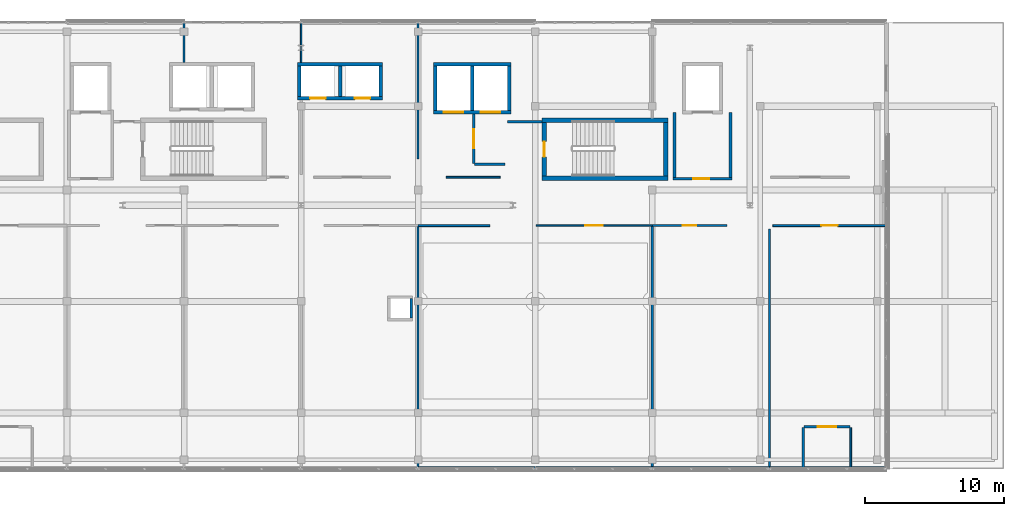
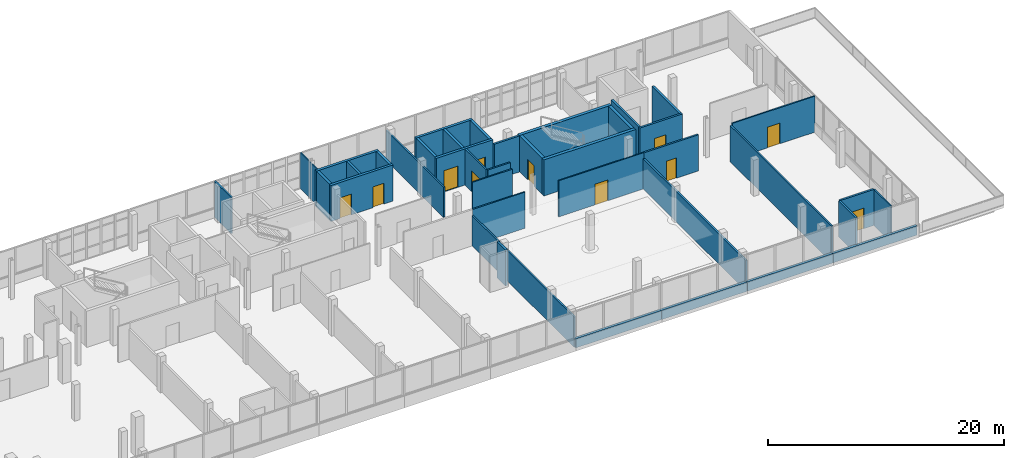
# One storey, part 59 of 67: 39 walls, 11 doors, 11 openings.
"""IFC4 building model written with IfcOpenShell, lengths in metres."""

from ifc_helpers import new_model, si_unit, direction, frame, frame_2d, origin, place, context, subcontext, project, spatial, rectangle, extrude, material, layer, layer_set, type_object, element, fill, save


model = new_model("IFC4")

# Units and contexts
model_context = context("Model", 3, precision=1e-05, world=origin(), true_north=direction((0.0, 1.0)))
body_context = subcontext(model_context, "Body", "Model", "MODEL_VIEW")
ifc_project = project(units=[si_unit("LENGTHUNIT", "METRE"), si_unit("AREAUNIT", "SQUARE_METRE"), si_unit("VOLUMEUNIT", "CUBIC_METRE"), si_unit("PLANEANGLEUNIT", "RADIAN"), si_unit("MASSUNIT", "GRAM", prefix="KILO")], contexts=[model_context])

# Site, building, storey
site_placement = place(None, origin())
site = spatial("IfcSite", under=ifc_project, at=site_placement, CompositionType="ELEMENT")
building_placement = place(site_placement, origin())
building = spatial("IfcBuilding", under=site, at=building_placement, Name="Selatvlak General Hospital", CompositionType="ELEMENT")
storey_placement = place(building_placement, frame((0.0, 0.0, 35.39990234375)))
storey = spatial("IfcBuildingStorey", under=building, at=storey_placement, Name="L08", CompositionType="ELEMENT", Elevation=35.39990234375)

# Walls
ifc_material_1 = material(Name="Precast concrete C40/50 - white Bauhaus spandrel", Category="concrete")
ifc_layer_1 = layer(ifc_material_1, 0.280029296875, Name="Precast concrete C40/50 - white Bauhaus spandrel", Category="concrete")
ifc_layer_set_1 = layer_set([ifc_layer_1], Name="Precast concrete C40/50 - white Bauhaus spandrel")
wall_type_1 = type_object("IfcWallType", Name="WALL-EW-02", PredefinedType="SOLIDWALL", material=ifc_layer_set_1)
wall_1_placement = place(storey_placement, frame((157.06005859375, 88.0009765625, 0.0), z_axis=(0.0, 0.0, 1.0), x_axis=(-1.0, 0.0, 0.0)))
element("IfcWall", 1, at=wall_1_placement, inside=storey, type_object=wall_type_1, Name="L08 Bauhaus spandrel sill wall 0622", PredefinedType="SOLIDWALL", context=body_context, shape_type="SweptSolid", body=[
    extrude(rectangle(XDim=8.258056640625, YDim=0.280029296875, at=frame_2d((4.12890625, 0.0))), origin(), (0.0, 0.0, 1.0), 0.940185546875),
])
for number, where, z_axis, x_axis, name in (
    (2, (148.798095703125, 88.0009765625, 0.0), (0.0, 0.0, 1.0), (-1.0, 0.0, 0.0), "L08 Bauhaus spandrel sill wall 0623"),
    (3, (140.39794921875, 88.0009765625, 0.0), (0.0, 0.0, 1.0), (-1.0, 0.0, 0.0), "L08 Bauhaus spandrel sill wall 0624"),
    (4, (131.998046875, 88.0009765625, 0.0), (0.0, 0.0, 1.0), (-1.0, 0.0, 0.0), "L08 Bauhaus spandrel sill wall 0625"),
):
    element("IfcWall", number, at=place(storey_placement, frame(where, z_axis=z_axis, x_axis=x_axis)), inside=storey, type_object=wall_type_1, Name=name, PredefinedType="SOLIDWALL", context=body_context, shape_type="SweptSolid", body=[
        extrude(rectangle(XDim=8.39599609375, YDim=0.280029296875, at=frame_2d((4.197998046875, 0.0))), origin(), (0.0, 0.0, 1.0), 0.940185546875),
    ])

# Wall, opening, door
ifc_material_2 = material(Name="Concrete C40/50", Category="concrete")
ifc_layer_2 = layer(ifc_material_2, 0.199951171875, Name="Concrete C40/50", Category="concrete")
ifc_layer_set_2 = layer_set([ifc_layer_2], Name="Concrete C40/50")
wall_type_2 = type_object("IfcWallType", Name="WALL-IW-02", PredefinedType="SOLIDWALL", material=ifc_layer_set_2)
wall_2_placement = place(storey_placement, frame((141.89990234375, 108.800048828125, 0.0), z_axis=(0.0, 0.0, 1.0), x_axis=(1.0, 0.0, 0.0)))
wall_2 = element("IfcWall", 5, at=wall_2_placement, inside=storey, type_object=wall_type_2, Name="Firefighting lobby C4 wall L08 S", PredefinedType="SOLIDWALL", context=body_context, shape_type="SweptSolid", body=[
    extrude(rectangle(XDim=4.2001953125, YDim=0.199951171875, at=frame_2d((2.10009765625, 0.0))), origin(), (0.0, 0.0, 1.0), 3.739990234375),
])
opening_1_placement = place(wall_2_placement, frame((1.425048828125, 0.0, 0.0)))
opening_1 = element("IfcOpeningElement", 6, at=opening_1_placement, cuts=wall_2, Name="Opening D-06", PredefinedType="OPENING", context=body_context, shape_type="SweptSolid", body=[
    extrude(rectangle(XDim=1.14990234375, YDim=2.14990234375, at=frame_2d((0.574951171875, 1.074951171875))), frame((0.0, 0.10986328125, 0.0), z_axis=(0.0, -1.0, 0.0), x_axis=(1.0, 0.0, 0.0)), (0.0, 0.0, 1.0), 0.219970703125),
])
ifc_material_3 = material(Name="Firefighting lobby fire door")
door_type_1 = type_object("IfcDoorType", Name="DOOR-D-06", OperationType="NOTDEFINED", PredefinedType="DOOR", material=ifc_material_3)
door_1_placement = place(opening_1_placement, origin())
door_1 = element("IfcDoor", 7, at=door_1_placement, inside=storey, type_object=door_type_1, Name="Firefighting lobby C4 door on L08", OperationType="SINGLE_SWING_RIGHT", OverallHeight=2.14990234375, OverallWidth=1.14990234375, PredefinedType="DOOR", context=body_context, shape_type="SweptSolid", body=[
    extrude(rectangle(XDim=1.14990234375, YDim=2.14990234375, at=frame_2d((0.574951171875, 1.074951171875))), frame((0.0, 0.02490234375, 0.0), z_axis=(0.0, -1.0, 0.0), x_axis=(1.0, 0.0, 0.0)), (0.0, 0.0, 1.0), 0.050048828125),
])
fill(opening_1, door_1)

# Walls
for number, where, z_axis, x_axis, name in (
    (8, (146.0, 108.89990234375, 0.0), (0.0, 0.0, 1.0), (0.0, 1.0, 0.0), "Firefighting lobby C4 wall L08 E"),
    (9, (142.0, 113.550048828125, 0.0), (0.0, 0.0, 1.0), (0.0, -1.0, 0.0), "Firefighting lobby C4 wall L08 W"),
):
    element("IfcWall", number, at=place(storey_placement, frame(where, z_axis=z_axis, x_axis=x_axis)), inside=storey, type_object=wall_type_2, Name=name, PredefinedType="SOLIDWALL", context=body_context, shape_type="SweptSolid", body=[
        extrude(rectangle(XDim=4.650146484375, YDim=0.199951171875, at=frame_2d((2.3251953125, 0.0))), origin(), (0.0, 0.0, 1.0), 3.739990234375),
    ])
wall_3_placement = place(storey_placement, frame((123.10009765625, 98.800048828125, 0.0), z_axis=(0.0, 0.0, 1.0), x_axis=(0.0, 1.0, 0.0)))
element("IfcWall", 10, at=wall_3_placement, inside=storey, type_object=wall_type_2, Name="Service riser 2 shaft wall L08 E", PredefinedType="SOLIDWALL", context=body_context, shape_type="SweptSolid", body=[
    extrude(rectangle(XDim=1.39990234375, YDim=0.199951171875, at=frame_2d((0.699951171875, 0.0))), origin(), (0.0, 0.0, 1.0), 3.739990234375),
])
ifc_material_4 = material(Name="Acoustic gypsum stud partition")
ifc_layer_3 = layer(ifc_material_4, 0.179931640625, Name="Acoustic gypsum stud partition")
ifc_layer_set_3 = layer_set([ifc_layer_3], Name="Acoustic gypsum stud partition")
wall_type_3 = type_object("IfcWallType", Name="WALL-PT-01", PredefinedType="PARTITIONING", material=ifc_layer_set_3)
wall_4_placement = place(storey_placement, frame((140.39990234375, 105.384033203125, 0.0), z_axis=(0.0, 0.0, 1.0), x_axis=(0.0, -1.0, 0.0)))
element("IfcWall", 11, at=wall_4_placement, inside=storey, type_object=wall_type_3, Name="L08 clinical partition PT-L08-2195", PredefinedType="PARTITIONING", context=body_context, shape_type="SweptSolid", body=[
    extrude(rectangle(XDim=17.3740234375, YDim=0.179931640625, at=frame_2d((8.68701171875, 0.0))), origin(), (0.0, 0.0, 1.0), 3.14013671875),
])

# Wall, opening, door
wall_5_placement = place(storey_placement, frame((154.580078125, 91.0009765625, 0.0), z_axis=(0.0, 0.0, 1.0), x_axis=(-1.0, 0.0, 0.0)))
wall_5 = element("IfcWall", 12, at=wall_5_placement, inside=storey, type_object=wall_type_3, Name="L08 clinical partition PT-L08-2199", PredefinedType="PARTITIONING", context=body_context, shape_type="SweptSolid", body=[
    extrude(rectangle(XDim=3.300048828125, YDim=0.179931640625, at=frame_2d((1.64990234375, 0.0))), origin(), (0.0, 0.0, 1.0), 3.739990234375),
])
opening_2_placement = place(wall_5_placement, frame((1.0, 0.0, 0.0)))
opening_2 = element("IfcOpeningElement", 13, at=opening_2_placement, cuts=wall_5, Name="Opening D-09", PredefinedType="OPENING", context=body_context, shape_type="SweptSolid", body=[
    extrude(rectangle(XDim=1.300048828125, YDim=2.14990234375, at=frame_2d((0.64990234375, 1.074951171875))), frame((0.0, 0.099853515625, 0.0), z_axis=(0.0, -1.0, 0.0), x_axis=(1.0, 0.0, 0.0)), (0.0, 0.0, 1.0), 0.199951171875),
])
ifc_material_5 = material(Name="Outpatient procedure door")
door_type_2 = type_object("IfcDoorType", Name="DOOR-D-09", OperationType="NOTDEFINED", PredefinedType="DOOR", material=ifc_material_5)
door_2_placement = place(opening_2_placement, origin())
door_2 = element("IfcDoor", 14, at=door_2_placement, inside=storey, type_object=door_type_2, Name="L08 Patient En-Suite WC 13 door", OperationType="SINGLE_SWING_LEFT", OverallHeight=2.14990234375, OverallWidth=1.300048828125, PredefinedType="DOOR", context=body_context, shape_type="SweptSolid", body=[
    extrude(rectangle(XDim=1.300048828125, YDim=2.14990234375, at=frame_2d((0.64990234375, 1.074951171875))), frame((0.0, 0.02490234375, 0.0), z_axis=(0.0, -1.0, 0.0), x_axis=(1.0, 0.0, 0.0)), (0.0, 0.0, 1.0), 0.050048828125),
])
fill(opening_2, door_2)

# Wall
wall_6_placement = place(storey_placement, frame((132.489990234375, 112.89990234375, 0.0), z_axis=(0.0, 0.0, 1.0), x_axis=(-1.0, 0.0, 0.0)))
element("IfcWall", 15, at=wall_6_placement, inside=storey, type_object=wall_type_3, Name="L08 clinical partition PT-L08-2230", PredefinedType="PARTITIONING", context=body_context, shape_type="SweptSolid", body=[
    extrude(rectangle(XDim=2.47998046875, YDim=0.179931640625, at=frame_2d((1.239990234375, 0.0))), origin(), (0.0, 0.0, 1.0), 3.739990234375),
])

# Wall, opening, door
ifc_layer_4 = layer(ifc_material_4, 0.1650390625, Name="Acoustic gypsum stud partition")
ifc_layer_set_4 = layer_set([ifc_layer_4], Name="Acoustic gypsum stud partition")
wall_type_4 = type_object("IfcWallType", Name="WALL-PT-02", PredefinedType="PARTITIONING", material=ifc_layer_set_4)
wall_7_placement = place(storey_placement, frame((140.39990234375, 105.43994140625, 0.0), z_axis=(0.0, 0.0, 1.0), x_axis=(1.0, 0.0, 0.0)))
wall_7 = element("IfcWall", 16, at=wall_7_placement, inside=storey, type_object=wall_type_4, Name="L08 clinical partition PT-L08-2196", PredefinedType="PARTITIONING", context=body_context, shape_type="SweptSolid", body=[
    extrude(rectangle(XDim=5.343994140625, YDim=0.1650390625, at=frame_2d((2.671875, 0.0))), origin(), (0.0, 0.0, 1.0), 3.739990234375),
])
opening_3_placement = place(wall_7_placement, frame((2.197021484375, 0.0, 0.0)))
opening_3 = element("IfcOpeningElement", 17, at=opening_3_placement, cuts=wall_7, Name="Opening D-02", PredefinedType="OPENING", context=body_context, shape_type="SweptSolid", body=[
    extrude(rectangle(XDim=0.949951171875, YDim=2.10009765625, at=frame_2d((0.47509765625, 1.050048828125))), frame((0.0, 0.092529296875, 0.0), z_axis=(0.0, -1.0, 0.0), x_axis=(1.0, 0.0, 0.0)), (0.0, 0.0, 1.0), 0.18505859375),
])
ifc_material_6 = material(Name="Moisture-resistant en-suite door")
door_type_3 = type_object("IfcDoorType", Name="DOOR-D-02", OperationType="NOTDEFINED", PredefinedType="DOOR", material=ifc_material_6)
door_3_placement = place(opening_3_placement, origin())
door_3 = element("IfcDoor", 18, at=door_3_placement, inside=storey, type_object=door_type_3, Name="L08 Respiratory Decontamination Room 12 door", OperationType="SINGLE_SWING_LEFT", OverallHeight=2.10009765625, OverallWidth=0.949951171875, PredefinedType="DOOR", context=body_context, shape_type="SweptSolid", body=[
    extrude(rectangle(XDim=0.949951171875, YDim=2.10009765625, at=frame_2d((0.47509765625, 1.050048828125))), frame((0.0, 0.02490234375, 0.0), z_axis=(0.0, -1.0, 0.0), x_axis=(1.0, 0.0, 0.0)), (0.0, 0.0, 1.0), 0.050048828125),
])
fill(opening_3, door_3)

# Wall
wall_8_placement = place(storey_placement, frame((151.219970703125, 90.94091796875, 0.0), z_axis=(0.0, 0.0, 1.0), x_axis=(0.0, -1.0, 0.0)))
element("IfcWall", 19, at=wall_8_placement, inside=storey, type_object=wall_type_4, Name="L08 clinical partition PT-L08-2200", PredefinedType="PARTITIONING", context=body_context, shape_type="SweptSolid", body=[
    extrude(rectangle(XDim=2.89794921875, YDim=0.1650390625, at=frame_2d((1.448974609375, 0.0))), origin(), (0.0, 0.0, 1.0), 3.739990234375),
])

# Wall, opening, door
wall_9_placement = place(storey_placement, frame((127.590087890625, 113.452880859375, 0.0), z_axis=(0.0, 0.0, 1.0), x_axis=(0.0, -1.0, 0.0)))
wall_9 = element("IfcWall", 20, at=wall_9_placement, inside=storey, type_object=wall_type_4, Name="L08 clinical partition PT-L08-2231", PredefinedType="PARTITIONING", context=body_context, shape_type="SweptSolid", body=[
    extrude(rectangle(XDim=3.552978515625, YDim=0.1650390625, at=frame_2d((1.7763671875, 0.0))), origin(), (0.0, 0.0, 1.0), 3.739990234375),
])
opening_4_placement = place(wall_9_placement, frame((1.10107421875, 0.0, 0.0)))
opening_4 = element("IfcOpeningElement", 21, at=opening_4_placement, cuts=wall_9, Name="Opening D-10", PredefinedType="OPENING", context=body_context, shape_type="SweptSolid", body=[
    extrude(rectangle(XDim=1.35009765625, YDim=2.14990234375, at=frame_2d((0.675048828125, 1.074951171875))), frame((0.0, 0.092529296875, 0.0), z_axis=(0.0, -1.0, 0.0), x_axis=(1.0, 0.0, 0.0)), (0.0, 0.0, 1.0), 0.18505859375),
])
ifc_material_7 = material(Name="Single patient bed door")
door_type_4 = type_object("IfcDoorType", Name="DOOR-D-10", OperationType="NOTDEFINED", PredefinedType="DOOR", material=ifc_material_7)
door_4_placement = place(opening_4_placement, origin())
door_4 = element("IfcDoor", 22, at=door_4_placement, inside=storey, type_object=door_type_4, Name="L08 Respiratory Decontamination Room 24 door", OperationType="SINGLE_SWING_RIGHT", OverallHeight=2.14990234375, OverallWidth=1.35009765625, PredefinedType="DOOR", context=body_context, shape_type="SweptSolid", body=[
    extrude(rectangle(XDim=1.35009765625, YDim=2.14990234375, at=frame_2d((0.675048828125, 1.074951171875))), frame((0.0, 0.02490234375, 0.0), z_axis=(0.0, -1.0, 0.0), x_axis=(1.0, 0.0, 0.0)), (0.0, 0.0, 1.0), 0.050048828125),
])
fill(opening_4, door_4)

# Walls
ifc_layer_5 = layer(ifc_material_4, 0.14990234375, Name="Acoustic gypsum stud partition")
ifc_layer_set_5 = layer_set([ifc_layer_5], Name="Acoustic gypsum stud partition")
wall_type_5 = type_object("IfcWallType", Name="WALL-PT-03", PredefinedType="PARTITIONING", material=ifc_layer_set_5)
wall_10_placement = place(storey_placement, frame((123.60009765625, 105.361083984375, 0.0), z_axis=(0.0, 0.0, 1.0), x_axis=(0.0, -1.0, 0.0)))
element("IfcWall", 23, at=wall_10_placement, inside=storey, type_object=wall_type_5, Name="L08 clinical partition PT-L08-2192", PredefinedType="PARTITIONING", context=body_context, shape_type="SweptSolid", body=[
    extrude(rectangle(XDim=17.35107421875, YDim=0.14990234375, at=frame_2d((8.675537109375, 0.0))), origin(), (0.0, 0.0, 1.0), 3.14013671875),
])
wall_11_placement = place(storey_placement, frame((148.800048828125, 105.18994140625, 0.0), z_axis=(0.0, 0.0, 1.0), x_axis=(0.0, -1.0, 0.0)))
element("IfcWall", 24, at=wall_11_placement, inside=storey, type_object=wall_type_5, Name="L08 clinical partition PT-L08-2197", PredefinedType="PARTITIONING", context=body_context, shape_type="SweptSolid", body=[
    extrude(rectangle(XDim=17.179931640625, YDim=0.14990234375, at=frame_2d((8.58984375, 0.0))), origin(), (0.0, 0.0, 1.0), 3.739990234375),
])
wall_12_placement = place(storey_placement, frame((106.800048828125, 119.989990234375, 0.0), z_axis=(0.0, 0.0, 1.0), x_axis=(0.0, -1.0, 0.0)))
element("IfcWall", 25, at=wall_12_placement, inside=storey, type_object=wall_type_5, Name="L08 clinical partition PT-L08-2222", PredefinedType="PARTITIONING", context=body_context, shape_type="SweptSolid", body=[
    extrude(rectangle(XDim=2.843017578125, YDim=0.14990234375, at=frame_2d((1.42138671875, 0.0))), origin(), (0.0, 0.0, 1.0), 3.739990234375),
])
wall_13_placement = place(storey_placement, frame((123.60009765625, 119.989990234375, 0.0), z_axis=(0.0, 0.0, 1.0), x_axis=(0.0, -1.0, 0.0)))
element("IfcWall", 26, at=wall_13_placement, inside=storey, type_object=wall_type_5, Name="L08 clinical partition PT-L08-2227", PredefinedType="PARTITIONING", context=body_context, shape_type="SweptSolid", body=[
    extrude(rectangle(XDim=9.780029296875, YDim=0.14990234375, at=frame_2d((4.89013671875, 0.0))), origin(), (0.0, 0.0, 1.0), 3.14013671875),
])
wall_14_placement = place(storey_placement, frame((127.64990234375, 109.840087890625, 0.0), z_axis=(0.0, 0.0, 1.0), x_axis=(1.0, 0.0, 0.0)))
element("IfcWall", 27, at=wall_14_placement, inside=storey, type_object=wall_type_5, Name="L08 clinical partition PT-L08-2232", PredefinedType="PARTITIONING", context=body_context, shape_type="SweptSolid", body=[
    extrude(rectangle(XDim=2.190185546875, YDim=0.14990234375, at=frame_2d((1.09521484375, 0.0))), origin(), (0.0, 0.0, 1.0), 3.739990234375),
])
ifc_material_8 = material(Name="Moisture-resistant clinical partition")
ifc_layer_6 = layer(ifc_material_8, 0.135009765625, Name="Moisture-resistant clinical partition")
ifc_layer_set_6 = layer_set([ifc_layer_6], Name="Moisture-resistant clinical partition")
wall_type_6 = type_object("IfcWallType", Name="WALL-PT-04", PredefinedType="PARTITIONING", material=ifc_layer_set_6)
wall_15_placement = place(storey_placement, frame((123.60009765625, 105.43994140625, 0.0), z_axis=(0.0, 0.0, 1.0), x_axis=(1.0, 0.0, 0.0)))
element("IfcWall", 28, at=wall_15_placement, inside=storey, type_object=wall_type_6, Name="L08 clinical partition PT-L08-2193", PredefinedType="PARTITIONING", context=body_context, shape_type="SweptSolid", body=[
    extrude(rectangle(XDim=5.143798828125, YDim=0.135009765625, at=frame_2d((2.57177734375, 0.0))), origin(), (0.0, 0.0, 1.0), 3.739990234375),
])
wall_16_placement = place(storey_placement, frame((154.639892578125, 88.04296875, 0.0), z_axis=(0.0, 0.0, 1.0), x_axis=(0.0, 1.0, 0.0)))
element("IfcWall", 29, at=wall_16_placement, inside=storey, type_object=wall_type_6, Name="L08 clinical partition PT-L08-2198", PredefinedType="PARTITIONING", context=body_context, shape_type="SweptSolid", body=[
    extrude(rectangle(XDim=2.89794921875, YDim=0.135009765625, at=frame_2d((1.448974609375, 0.0))), origin(), (0.0, 0.0, 1.0), 3.739990234375),
])

# Wall, opening, door
wall_17_placement = place(storey_placement, frame((149.055908203125, 105.43994140625, 0.0), z_axis=(0.0, 0.0, 1.0), x_axis=(1.0, 0.0, 0.0)))
wall_17 = element("IfcWall", 30, at=wall_17_placement, inside=storey, type_object=wall_type_6, Name="L08 clinical partition PT-L08-2201", PredefinedType="PARTITIONING", context=body_context, shape_type="SweptSolid", body=[
    extrude(rectangle(XDim=8.10205078125, YDim=0.135009765625, at=frame_2d((4.051025390625, 0.0))), origin(), (0.0, 0.0, 1.0), 3.739990234375),
])
opening_5_placement = place(wall_17_placement, frame((3.450927734375, 0.0, 0.0)))
opening_5 = element("IfcOpeningElement", 31, at=opening_5_placement, cuts=wall_17, Name="Opening D-07", PredefinedType="OPENING", context=body_context, shape_type="SweptSolid", body=[
    extrude(rectangle(XDim=1.199951171875, YDim=2.14990234375, at=frame_2d((0.60009765625, 1.074951171875))), frame((0.0, 0.077392578125, 0.0), z_axis=(0.0, -1.0, 0.0), x_axis=(1.0, 0.0, 0.0)), (0.0, 0.0, 1.0), 0.155029296875),
])
ifc_material_9 = material(Name="Plant and store fire door")
door_type_5 = type_object("IfcDoorType", Name="DOOR-D-07", OperationType="NOTDEFINED", PredefinedType="DOOR", material=ifc_material_9)
door_5_placement = place(opening_5_placement, origin())
door_5 = element("IfcDoor", 32, at=door_5_placement, inside=storey, type_object=door_type_5, Name="L08 Airborne Isolation Patient Room 13 door", OperationType="SINGLE_SWING_RIGHT", OverallHeight=2.14990234375, OverallWidth=1.199951171875, PredefinedType="DOOR", context=body_context, shape_type="SweptSolid", body=[
    extrude(rectangle(XDim=1.199951171875, YDim=2.14990234375, at=frame_2d((0.60009765625, 1.074951171875))), frame((0.0, 0.02490234375, 0.0), z_axis=(0.0, -1.0, 0.0), x_axis=(1.0, 0.0, 0.0)), (0.0, 0.0, 1.0), 0.050048828125),
])
fill(opening_5, door_5)

# Wall
wall_18_placement = place(storey_placement, frame((129.487060546875, 108.909912109375, 0.0), z_axis=(0.0, 0.0, 1.0), x_axis=(-1.0, 0.0, 0.0)))
element("IfcWall", 33, at=wall_18_placement, inside=storey, type_object=wall_type_6, Name="L08 clinical partition PT-L08-2233", PredefinedType="PARTITIONING", context=body_context, shape_type="SweptSolid", body=[
    extrude(rectangle(XDim=3.8759765625, YDim=0.135009765625, at=frame_2d((1.93798828125, 0.0))), origin(), (0.0, 0.0, 1.0), 3.739990234375),
])

# Wall, opening, door
ifc_layer_7 = layer(ifc_material_8, 0.1201171875, Name="Moisture-resistant clinical partition")
ifc_layer_set_7 = layer_set([ifc_layer_7], Name="Moisture-resistant clinical partition")
wall_type_7 = type_object("IfcWallType", Name="WALL-PT-05", PredefinedType="PARTITIONING", material=ifc_layer_set_7)
wall_19_placement = place(storey_placement, frame((132.055908203125, 105.43994140625, 0.0), z_axis=(0.0, 0.0, 1.0), x_axis=(1.0, 0.0, 0.0)))
wall_19 = element("IfcWall", 34, at=wall_19_placement, inside=storey, type_object=wall_type_7, Name="L08 clinical partition PT-L08-2194", PredefinedType="PARTITIONING", context=body_context, shape_type="SweptSolid", body=[
    extrude(rectangle(XDim=8.343994140625, YDim=0.1201171875, at=frame_2d((4.171875, 0.0))), origin(), (0.0, 0.0, 1.0), 3.739990234375),
])
opening_6_placement = place(wall_19_placement, frame((3.547119140625, 0.0, 0.0)))
opening_6 = element("IfcOpeningElement", 35, at=opening_6_placement, cuts=wall_19, Name="Opening D-08", PredefinedType="OPENING", context=body_context, shape_type="SweptSolid", body=[
    extrude(rectangle(XDim=1.25, YDim=2.14990234375, at=frame_2d((0.625, 1.074951171875))), frame((0.0, 0.070068359375, 0.0), z_axis=(0.0, -1.0, 0.0), x_axis=(1.0, 0.0, 0.0)), (0.0, 0.0, 1.0), 0.14013671875),
])
ifc_material_10 = material(Name="Diagnostic treatment door")
door_type_6 = type_object("IfcDoorType", Name="DOOR-D-08", OperationType="NOTDEFINED", PredefinedType="DOOR", material=ifc_material_10)
door_6_placement = place(opening_6_placement, origin())
door_6 = element("IfcDoor", 36, at=door_6_placement, inside=storey, type_object=door_type_6, Name="L08 Outpatient Specialist Waiting Concourse 11 door", OperationType="SINGLE_SWING_RIGHT", OverallHeight=2.14990234375, OverallWidth=1.25, PredefinedType="DOOR", context=body_context, shape_type="SweptSolid", body=[
    extrude(rectangle(XDim=1.25, YDim=2.14990234375, at=frame_2d((0.625, 1.074951171875))), frame((0.0, 0.02490234375, 0.0), z_axis=(0.0, -1.0, 0.0), x_axis=(1.0, 0.0, 0.0)), (0.0, 0.0, 1.0), 0.050048828125),
])
fill(opening_6, door_6)

# Walls
wall_20_placement = place(storey_placement, frame((115.199951171875, 119.989990234375, 0.0), z_axis=(0.0, 0.0, 1.0), x_axis=(0.0, -1.0, 0.0)))
element("IfcWall", 37, at=wall_20_placement, inside=storey, type_object=wall_type_7, Name="L08 clinical partition PT-L08-2224", PredefinedType="PARTITIONING", context=body_context, shape_type="SweptSolid", body=[
    extrude(rectangle(XDim=2.843017578125, YDim=0.1201171875, at=frame_2d((1.42138671875, 0.0))), origin(), (0.0, 0.0, 1.0), 3.739990234375),
])
ifc_material_11 = material(Name="Concrete C45/55", Category="concrete")
ifc_layer_8 = layer(ifc_material_11, 0.300048828125, Name="Concrete C45/55", Category="concrete")
ifc_layer_set_8 = layer_set([ifc_layer_8], Name="Concrete C45/55")
wall_type_8 = type_object("IfcWallType", Name="WALL-SW-02", PredefinedType="SHEAR", material=ifc_layer_set_8)
wall_21_placement = place(storey_placement, frame((132.489990234375, 108.840087890625, 0.0), z_axis=(0.0, 0.0, 1.0), x_axis=(1.0, 0.0, 0.0)))
element("IfcWall", 38, at=wall_21_placement, inside=storey, type_object=wall_type_8, Name="ST-04 core shear wall L08 S", PredefinedType="SHEAR", context=body_context, shape_type="SweptSolid", body=[
    extrude(rectangle(XDim=9.02001953125, YDim=0.300048828125, at=frame_2d((4.510009765625, 0.0))), origin(), (0.0, 0.0, 1.0), 3.739990234375),
])
wall_22_placement = place(storey_placement, frame((141.360107421875, 108.989990234375, 0.0), z_axis=(0.0, 0.0, 1.0), x_axis=(0.0, 1.0, 0.0)))
element("IfcWall", 39, at=wall_22_placement, inside=storey, type_object=wall_type_8, Name="ST-04 core shear wall L08 E", PredefinedType="SHEAR", context=body_context, shape_type="SweptSolid", body=[
    extrude(rectangle(XDim=3.860107421875, YDim=0.300048828125, at=frame_2d((1.93017578125, 0.0))), origin(), (0.0, 0.0, 1.0), 3.739990234375),
])
wall_23_placement = place(storey_placement, frame((141.510009765625, 113.0, 0.0), z_axis=(0.0, 0.0, 1.0), x_axis=(-1.0, 0.0, 0.0)))
element("IfcWall", 40, at=wall_23_placement, inside=storey, type_object=wall_type_8, Name="ST-04 core shear wall L08 N", PredefinedType="SHEAR", context=body_context, shape_type="SweptSolid", body=[
    extrude(rectangle(XDim=9.02001953125, YDim=0.300048828125, at=frame_2d((4.510009765625, 0.0))), origin(), (0.0, 0.0, 1.0), 3.739990234375),
])

# Wall, opening, door
wall_24_placement = place(storey_placement, frame((132.639892578125, 112.85009765625, 0.0), z_axis=(0.0, 0.0, 1.0), x_axis=(0.0, -1.0, 0.0)))
wall_24 = element("IfcWall", 41, at=wall_24_placement, inside=storey, type_object=wall_type_8, Name="ST-04 core shear wall L08 W", PredefinedType="SHEAR", context=body_context, shape_type="SweptSolid", body=[
    extrude(rectangle(XDim=3.860107421875, YDim=0.300048828125, at=frame_2d((1.93017578125, 0.0))), origin(), (0.0, 0.0, 1.0), 3.739990234375),
])
opening_7_placement = place(wall_24_placement, frame((1.3798828125, 0.0, 0.0)))
opening_7 = element("IfcOpeningElement", 42, at=opening_7_placement, cuts=wall_24, Name="Opening D-05", PredefinedType="OPENING", context=body_context, shape_type="SweptSolid", body=[
    extrude(rectangle(XDim=1.10009765625, YDim=2.14990234375, at=frame_2d((0.550048828125, 1.074951171875))), frame((0.0, 0.159912109375, 0.0), z_axis=(0.0, -1.0, 0.0), x_axis=(1.0, 0.0, 0.0)), (0.0, 0.0, 1.0), 0.320068359375),
])
ifc_material_12 = material(Name="Protected stair fire door")
door_type_7 = type_object("IfcDoorType", Name="DOOR-D-05", OperationType="NOTDEFINED", PredefinedType="DOOR", material=ifc_material_12)
door_7_placement = place(opening_7_placement, origin())
door_7 = element("IfcDoor", 43, at=door_7_placement, inside=storey, type_object=door_type_7, Name="ST-04 protected stair door on L08", OperationType="SINGLE_SWING_LEFT", OverallHeight=2.14990234375, OverallWidth=1.10009765625, PredefinedType="DOOR", context=body_context, shape_type="SweptSolid", body=[
    extrude(rectangle(XDim=1.10009765625, YDim=2.14990234375, at=frame_2d((0.550048828125, 1.074951171875))), frame((0.0, 0.02490234375, 0.0), z_axis=(0.0, -1.0, 0.0), x_axis=(1.0, 0.0, 0.0)), (0.0, 0.0, 1.0), 0.050048828125),
])
fill(opening_7, door_7)

# Wall, openings, doors
ifc_layer_9 = layer(ifc_material_2, 0.25, Name="Concrete C40/50", Category="concrete")
ifc_layer_set_9 = layer_set([ifc_layer_9], Name="Concrete C40/50")
wall_type_9 = type_object("IfcWallType", Name="WALL-SW-03", PredefinedType="SHEAR", material=ifc_layer_set_9)
wall_25_placement = place(storey_placement, frame((124.699951171875, 113.574951171875, 0.0), z_axis=(0.0, 0.0, 1.0), x_axis=(1.0, 0.0, 0.0)))
wall_25 = element("IfcWall", 44, at=wall_25_placement, inside=storey, type_object=wall_type_9, Name="Lift LB-03-LB-04 shaft wall L08 S", PredefinedType="SHEAR", context=body_context, shape_type="SweptSolid", body=[
    extrude(rectangle(XDim=5.550048828125, YDim=0.25, at=frame_2d((2.77490234375, 0.0))), origin(), (0.0, 0.0, 1.0), 3.739990234375),
])
opening_8_placement = place(wall_25_placement, frame((0.75, 0.0, 0.0)))
opening_8 = element("IfcOpeningElement", 45, at=opening_8_placement, cuts=wall_25, Name="Opening LD-B1", PredefinedType="OPENING", context=body_context, shape_type="SweptSolid", body=[
    extrude(rectangle(XDim=1.39990234375, YDim=2.199951171875, at=frame_2d((0.699951171875, 1.10009765625))), frame((0.0, 0.135009765625, 0.0), z_axis=(0.0, -1.0, 0.0), x_axis=(1.0, 0.0, 0.0)), (0.0, 0.0, 1.0), 0.27001953125),
])
opening_9_placement = place(wall_25_placement, frame((3.39990234375, 0.0, 0.0)))
opening_9 = element("IfcOpeningElement", 46, at=opening_9_placement, cuts=wall_25, Name="Opening LD-B1", PredefinedType="OPENING", context=body_context, shape_type="SweptSolid", body=[
    extrude(rectangle(XDim=1.39990234375, YDim=2.199951171875, at=frame_2d((0.699951171875, 1.10009765625))), frame((0.0, 0.135009765625, 0.0), z_axis=(0.0, -1.0, 0.0), x_axis=(1.0, 0.0, 0.0)), (0.0, 0.0, 1.0), 0.27001953125),
])
ifc_material_13 = material(Name="Stainless steel stretcher lift landing door", Category="steel")
door_type_8 = type_object("IfcDoorType", Name="DOOR-LD-B1", OperationType="DOUBLE_DOOR_SLIDING", PredefinedType="DOOR", material=ifc_material_13)
door_8_placement = place(opening_8_placement, origin())
door_8 = element("IfcDoor", 47, at=door_8_placement, inside=storey, type_object=door_type_8, Name="Lift LB-03 sliding landing door on L08", OperationType="DOUBLE_DOOR_SLIDING", OverallHeight=2.199951171875, OverallWidth=1.39990234375, PredefinedType="DOOR", context=body_context, shape_type="SweptSolid", body=[
    extrude(rectangle(XDim=1.39990234375, YDim=2.199951171875, at=frame_2d((0.699951171875, 1.10009765625))), frame((0.0, 0.02490234375, 0.0), z_axis=(0.0, -1.0, 0.0), x_axis=(1.0, 0.0, 0.0)), (0.0, 0.0, 1.0), 0.050048828125),
])
fill(opening_8, door_8)
door_9_placement = place(opening_9_placement, origin())
door_9 = element("IfcDoor", 48, at=door_9_placement, inside=storey, type_object=door_type_8, Name="Lift LB-04 sliding landing door on L08", OperationType="DOUBLE_DOOR_SLIDING", OverallHeight=2.199951171875, OverallWidth=1.39990234375, PredefinedType="DOOR", context=body_context, shape_type="SweptSolid", body=[
    extrude(rectangle(XDim=1.39990234375, YDim=2.199951171875, at=frame_2d((0.699951171875, 1.10009765625))), frame((0.0, 0.02490234375, 0.0), z_axis=(0.0, -1.0, 0.0), x_axis=(1.0, 0.0, 0.0)), (0.0, 0.0, 1.0), 0.050048828125),
])
fill(opening_9, door_9)

# Walls
wall_26_placement = place(storey_placement, frame((130.125, 113.699951171875, 0.0), z_axis=(0.0, 0.0, 1.0), x_axis=(0.0, 1.0, 0.0)))
element("IfcWall", 49, at=wall_26_placement, inside=storey, type_object=wall_type_9, Name="Lift LB-03-LB-04 shaft wall L08 E", PredefinedType="SHEAR", context=body_context, shape_type="SweptSolid", body=[
    extrude(rectangle(XDim=3.199951171875, YDim=0.25, at=frame_2d((1.60009765625, 0.0))), origin(), (0.0, 0.0, 1.0), 3.739990234375),
])
wall_27_placement = place(storey_placement, frame((130.25, 117.02490234375, 0.0), z_axis=(0.0, 0.0, 1.0), x_axis=(-1.0, 0.0, 0.0)))
element("IfcWall", 50, at=wall_27_placement, inside=storey, type_object=wall_type_9, Name="Lift LB-03-LB-04 shaft wall L08 N", PredefinedType="SHEAR", context=body_context, shape_type="SweptSolid", body=[
    extrude(rectangle(XDim=5.550048828125, YDim=0.25, at=frame_2d((2.77490234375, 0.0))), origin(), (0.0, 0.0, 1.0), 3.739990234375),
])
for number, where, z_axis, x_axis, name in (
    (51, (124.824951171875, 116.89990234375, 0.0), (0.0, 0.0, 1.0), (0.0, -1.0, 0.0), "Lift LB-03-LB-04 shaft wall L08 W"),
    (52, (127.47509765625, 113.699951171875, 0.0), (0.0, 0.0, 1.0), (0.0, 1.0, 0.0), "Lift LB-03-LB-04 dividing shaft wall L08"),
):
    element("IfcWall", number, at=place(storey_placement, frame(where, z_axis=z_axis, x_axis=x_axis)), inside=storey, type_object=wall_type_9, Name=name, PredefinedType="SHEAR", context=body_context, shape_type="SweptSolid", body=[
        extrude(rectangle(XDim=3.199951171875, YDim=0.25, at=frame_2d((1.60009765625, 0.0))), origin(), (0.0, 0.0, 1.0), 3.739990234375),
    ])

# Wall, openings, doors
wall_28_placement = place(storey_placement, frame((114.949951171875, 114.574951171875, 0.0), z_axis=(0.0, 0.0, 1.0), x_axis=(1.0, 0.0, 0.0)))
wall_28 = element("IfcWall", 53, at=wall_28_placement, inside=storey, type_object=wall_type_9, Name="Lift LP-05-LP-06 shaft wall L08 S", PredefinedType="SHEAR", context=body_context, shape_type="SweptSolid", body=[
    extrude(rectangle(XDim=6.10009765625, YDim=0.25, at=frame_2d((3.050048828125, 0.0))), origin(), (0.0, 0.0, 1.0), 3.739990234375),
])
opening_10_placement = place(wall_28_placement, frame((0.89990234375, 0.0, 0.0)))
opening_10 = element("IfcOpeningElement", 54, at=opening_10_placement, cuts=wall_28, Name="Opening LD-P1", PredefinedType="OPENING", context=body_context, shape_type="SweptSolid", body=[
    extrude(rectangle(XDim=1.10009765625, YDim=2.14990234375, at=frame_2d((0.550048828125, 1.074951171875))), frame((0.0, 0.135009765625, 0.0), z_axis=(0.0, -1.0, 0.0), x_axis=(1.0, 0.0, 0.0)), (0.0, 0.0, 1.0), 0.27001953125),
])
opening_11_placement = place(wall_28_placement, frame((4.10009765625, 0.0, 0.0)))
opening_11 = element("IfcOpeningElement", 55, at=opening_11_placement, cuts=wall_28, Name="Opening LD-P1", PredefinedType="OPENING", context=body_context, shape_type="SweptSolid", body=[
    extrude(rectangle(XDim=1.10009765625, YDim=2.14990234375, at=frame_2d((0.550048828125, 1.074951171875))), frame((0.0, 0.135009765625, 0.0), z_axis=(0.0, -1.0, 0.0), x_axis=(1.0, 0.0, 0.0)), (0.0, 0.0, 1.0), 0.27001953125),
])
ifc_material_14 = material(Name="Stainless steel passenger lift landing door", Category="steel")
door_type_9 = type_object("IfcDoorType", Name="DOOR-LD-P1", OperationType="DOUBLE_DOOR_SLIDING", PredefinedType="DOOR", material=ifc_material_14)
door_10_placement = place(opening_10_placement, origin())
door_10 = element("IfcDoor", 56, at=door_10_placement, inside=storey, type_object=door_type_9, Name="Lift LP-05 sliding landing door on L08", OperationType="DOUBLE_DOOR_SLIDING", OverallHeight=2.14990234375, OverallWidth=1.10009765625, PredefinedType="DOOR", context=body_context, shape_type="SweptSolid", body=[
    extrude(rectangle(XDim=1.10009765625, YDim=2.14990234375, at=frame_2d((0.550048828125, 1.074951171875))), frame((0.0, 0.02490234375, 0.0), z_axis=(0.0, -1.0, 0.0), x_axis=(1.0, 0.0, 0.0)), (0.0, 0.0, 1.0), 0.050048828125),
])
fill(opening_10, door_10)
door_11_placement = place(opening_11_placement, origin())
door_11 = element("IfcDoor", 57, at=door_11_placement, inside=storey, type_object=door_type_9, Name="Lift LP-06 sliding landing door on L08", OperationType="DOUBLE_DOOR_SLIDING", OverallHeight=2.14990234375, OverallWidth=1.10009765625, PredefinedType="DOOR", context=body_context, shape_type="SweptSolid", body=[
    extrude(rectangle(XDim=1.10009765625, YDim=2.14990234375, at=frame_2d((0.550048828125, 1.074951171875))), frame((0.0, 0.02490234375, 0.0), z_axis=(0.0, -1.0, 0.0), x_axis=(1.0, 0.0, 0.0)), (0.0, 0.0, 1.0), 0.050048828125),
])
fill(opening_11, door_11)

# Walls
wall_29_placement = place(storey_placement, frame((120.925048828125, 114.699951171875, 0.0), z_axis=(0.0, 0.0, 1.0), x_axis=(0.0, 1.0, 0.0)))
element("IfcWall", 58, at=wall_29_placement, inside=storey, type_object=wall_type_9, Name="Lift LP-05-LP-06 shaft wall L08 E", PredefinedType="SHEAR", context=body_context, shape_type="SweptSolid", body=[
    extrude(rectangle(XDim=2.199951171875, YDim=0.25, at=frame_2d((1.10009765625, 0.0))), origin(), (0.0, 0.0, 1.0), 3.739990234375),
])
wall_30_placement = place(storey_placement, frame((121.050048828125, 117.02490234375, 0.0), z_axis=(0.0, 0.0, 1.0), x_axis=(-1.0, 0.0, 0.0)))
element("IfcWall", 59, at=wall_30_placement, inside=storey, type_object=wall_type_9, Name="Lift LP-05-LP-06 shaft wall L08 N", PredefinedType="SHEAR", context=body_context, shape_type="SweptSolid", body=[
    extrude(rectangle(XDim=6.10009765625, YDim=0.25, at=frame_2d((3.050048828125, 0.0))), origin(), (0.0, 0.0, 1.0), 3.739990234375),
])
for number, where, z_axis, x_axis, name in (
    (60, (115.074951171875, 116.89990234375, 0.0), (0.0, 0.0, 1.0), (0.0, -1.0, 0.0), "Lift LP-05-LP-06 shaft wall L08 W"),
    (61, (118.0, 114.699951171875, 0.0), (0.0, 0.0, 1.0), (0.0, 1.0, 0.0), "Lift LP-05-LP-06 dividing shaft wall L08"),
):
    element("IfcWall", number, at=place(storey_placement, frame(where, z_axis=z_axis, x_axis=x_axis)), inside=storey, type_object=wall_type_9, Name=name, PredefinedType="SHEAR", context=body_context, shape_type="SweptSolid", body=[
        extrude(rectangle(XDim=2.199951171875, YDim=0.25, at=frame_2d((1.10009765625, 0.0))), origin(), (0.0, 0.0, 1.0), 3.739990234375),
    ])

save(model, "model.ifc")
